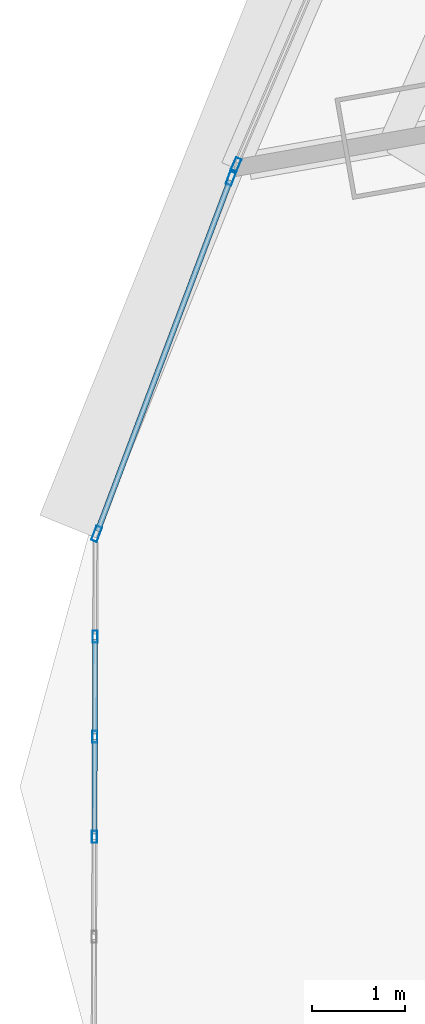
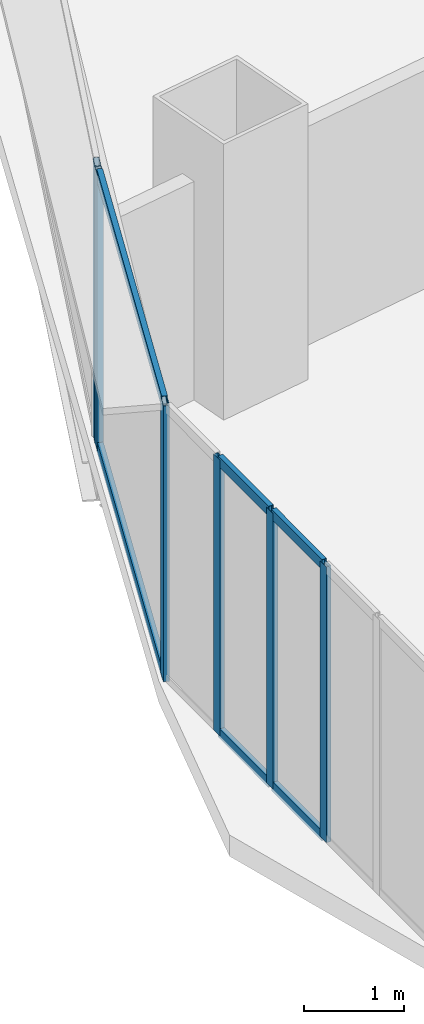
# One storey, part 4 of 42: 12 members, 3 elements without a shape of their own.
"""IFC4 building model written with IfcOpenShell, lengths in metres."""

from ifc_helpers import new_model, si_unit, direction, frame, origin, origin_2d, place, context, subcontext, project, spatial, hollow_rectangle, extrude, source, transform, mapped, material, layer, layer_set, material_profile, profile_set, type_object, element, aggregate, save


model = new_model("IFC4")

# Units and contexts
model_context = context("Model", 3, precision=1e-05, world=origin(), true_north=direction((0.0, 1.0)))
body_context = subcontext(model_context, "Body", "Model", "MODEL_VIEW")
ifc_project = project(units=[si_unit("LENGTHUNIT", "METRE"), si_unit("AREAUNIT", "SQUARE_METRE"), si_unit("VOLUMEUNIT", "CUBIC_METRE"), si_unit("PLANEANGLEUNIT", "RADIAN"), si_unit("MASSUNIT", "GRAM", prefix="KILO"), si_unit("THERMODYNAMICTEMPERATUREUNIT", "KELVIN"), si_unit("POWERUNIT", "WATT")], contexts=[model_context])

# Site, building, storey
site_placement = place(None, origin())
site = spatial("IfcSite", under=ifc_project, at=site_placement, CompositionType="ELEMENT")
building_placement = place(site_placement, origin())
building = spatial("IfcBuilding", under=site, at=building_placement, Name="Yunzhuo Pagoda Commons", CompositionType="ELEMENT")
storey_placement = place(building_placement, frame((0.0, 0.0, 41.2900390625)))
storey = spatial("IfcBuildingStorey", under=building, at=storey_placement, Name="L10", CompositionType="ELEMENT", Elevation=41.2900390625)

# Curtain wall, member
ifc_material = material(Name="Anodized aluminium 6063-T6", Category="aluminium")
ifc_layer_1 = layer(ifc_material, 0.1650390625)
ifc_layer_set_1 = layer_set([ifc_layer_1], Name="Anodized aluminium 6063-T6")
curtain_wall_type_1 = type_object("IfcCurtainWallType", Name="CW-LOW Low-Zone Ribbon Curtain Wall", PredefinedType="NOTDEFINED", material=ifc_layer_set_1)
curtain_wall_1_placement = place(storey_placement, origin())
curtain_wall_1 = element("IfcCurtainWall", 1, at=curtain_wall_1_placement, inside=storey, type_object=curtain_wall_type_1, Name="L10 curtain wall CW-L10-F3B4", PredefinedType="NOTDEFINED")
ifc_material_profile_1 = material_profile(ifc_material, hollow_rectangle(XDim=0.06494140625, YDim=0.1650390625, WallThickness=0.00390625, at=origin_2d()), Name="Anodized aluminium 6063-T6")
ifc_profile_set_1 = profile_set([ifc_material_profile_1], Name="Anodized aluminium 6063-T6")
member_type_1 = type_object("IfcMemberType", Name="CW-LOW-M Mullion RHS 165x65x4", PredefinedType="MULLION", material=ifc_profile_set_1)
shared_shape_1 = source(origin(), body_context, "Body", "SweptSolid", [
    extrude(hollow_rectangle(XDim=0.06494140625, YDim=0.1650390625, WallThickness=0.00390625, at=origin_2d()), origin(), (0.0, 0.0, 1.0), 3.369873046875),
])
member_1_placement = place(storey_placement, frame((6.25341796875, 26.366455078125, 0.0), z_axis=(0.0, 0.0, 1.0), x_axis=(0.918865619656, -0.394570618538, 0.0)))
member_1 = element("IfcMember", 2, at=member_1_placement, type_object=member_type_1, Name="CW mullion 2", PredefinedType="MULLION", context=body_context, shape_type="MappedRepresentation", body=[
    mapped(shared_shape_1, transform((0.0, 0.0, 0.0), scale=1.0)),
])
aggregate(curtain_wall_1, [member_1])

# Curtain wall, members
curtain_wall_2_placement = place(storey_placement, origin())
curtain_wall_2 = element("IfcCurtainWall", 3, at=curtain_wall_2_placement, inside=storey, type_object=curtain_wall_type_1, Name="L10 curtain wall CW-L10-F3B5", PredefinedType="NOTDEFINED")
member_2_placement = place(storey_placement, frame((6.20263671875, 26.236083984375, 0.0), z_axis=(0.0, 0.0, 1.0), x_axis=(0.935566420146, -0.353150780113, 0.0)))
member_2 = element("IfcMember", 4, at=member_2_placement, type_object=member_type_1, Name="CW mullion 1", PredefinedType="MULLION", context=body_context, shape_type="MappedRepresentation", body=[
    mapped(shared_shape_1, transform((0.0, 0.0, 0.0), scale=1.0)),
])
member_3_placement = place(storey_placement, frame((4.760009765625, 22.41455078125, 0.0), z_axis=(0.0, 0.0, 1.0), x_axis=(0.935566420146, -0.353150780113, 0.0)))
member_3 = element("IfcMember", 5, at=member_3_placement, type_object=member_type_1, Name="CW mullion 2", PredefinedType="MULLION", context=body_context, shape_type="MappedRepresentation", body=[
    mapped(shared_shape_1, transform((0.0, 0.0, 0.0), scale=1.0)),
])
ifc_material_profile_2 = material_profile(ifc_material, hollow_rectangle(XDim=0.06005859375, YDim=0.139892578125, WallThickness=0.00341796875, at=origin_2d()), Name="Anodized aluminium 6063-T6")
ifc_profile_set_2 = profile_set([ifc_material_profile_2], Name="Anodized aluminium 6063-T6")
member_type_2 = type_object("IfcMemberType", Name="CW-LOW-T Transom RHS 140x60x3.5", PredefinedType="USERDEFINED", material=ifc_profile_set_2)
shared_shape_2 = source(origin(), body_context, "Body", "SweptSolid", [
    extrude(hollow_rectangle(XDim=0.06005859375, YDim=0.139892578125, WallThickness=0.00341796875, at=origin_2d()), origin(), (0.0, 0.0, 1.0), 4.019775390625),
])
member_4_placement = place(storey_placement, frame((6.191162109375, 26.20556640625, 0.030029296875), z_axis=(-0.353172606042, -0.935558181163, 0.0), x_axis=(0.935558181163, -0.353172606042, 0.0)))
member_4 = element("IfcMember", 6, at=member_4_placement, type_object=member_type_2, Name="CW transom 1.1", ObjectType="TRANSOM", PredefinedType="USERDEFINED", context=body_context, shape_type="MappedRepresentation", body=[
    mapped(shared_shape_2, transform((0.0, 0.0, 0.0), scale=1.0)),
])
member_5_placement = place(storey_placement, frame((6.191162109375, 26.20556640625, 3.33984375), z_axis=(-0.353172606042, -0.935558181163, 0.0), x_axis=(0.935558181163, -0.353172606042, 0.0)))
member_5 = element("IfcMember", 7, at=member_5_placement, type_object=member_type_2, Name="CW transom 1.2", ObjectType="TRANSOM", PredefinedType="USERDEFINED", context=body_context, shape_type="MappedRepresentation", body=[
    mapped(shared_shape_2, transform((0.0, 0.0, 0.0), scale=1.0)),
])
aggregate(curtain_wall_2, [member_2, member_3, member_4, member_5])

ifc_layer_2 = layer(ifc_material, 0.1298828125)
ifc_layer_set_2 = layer_set([ifc_layer_2], Name="Anodized aluminium 6063-T6")
curtain_wall_type_2 = type_object("IfcCurtainWallType", Name="CW-VTX Rounded Corner Curtain Wall", PredefinedType="NOTDEFINED", material=ifc_layer_set_2)
curtain_wall_3_placement = place(storey_placement, origin())
curtain_wall_3 = element("IfcCurtainWall", 8, at=curtain_wall_3_placement, inside=storey, type_object=curtain_wall_type_2, Name="L10 curtain wall CW-L10-VTX1S1", PredefinedType="NOTDEFINED")
ifc_material_profile_3 = material_profile(ifc_material, hollow_rectangle(XDim=0.054931640625, YDim=0.1298828125, WallThickness=0.00341796875, at=origin_2d()), Name="Anodized aluminium 6063-T6")
ifc_profile_set_3 = profile_set([ifc_material_profile_3], Name="Anodized aluminium 6063-T6")
member_type_3 = type_object("IfcMemberType", Name="CW-VTX-M Mullion RHS 130x55x3.5", PredefinedType="MULLION", material=ifc_profile_set_3)
shared_shape_3 = source(origin(), body_context, "Body", "SweptSolid", [
    extrude(hollow_rectangle(XDim=0.054931640625, YDim=0.1298828125, WallThickness=0.00341796875, at=origin_2d()), origin(), (0.0, 0.0, 1.0), 3.369873046875),
])
member_6_placement = place(storey_placement, frame((4.74462890625, 21.311279296875, 0.0), z_axis=(0.0, 0.0, 1.0), x_axis=(0.999993595138, -0.003579061808, 0.0)))
member_6 = element("IfcMember", 9, at=member_6_placement, type_object=member_type_3, Name="CW mullion 2", PredefinedType="MULLION", context=body_context, shape_type="MappedRepresentation", body=[
    mapped(shared_shape_3, transform((0.0, 0.0, 0.0), scale=1.0)),
])
member_7_placement = place(storey_placement, frame((4.74072265625, 20.23828125, 0.0), z_axis=(0.0, 0.0, 1.0), x_axis=(0.999993595138, -0.003579061808, 0.0)))
member_7 = element("IfcMember", 10, at=member_7_placement, type_object=member_type_3, Name="CW mullion 3", PredefinedType="MULLION", context=body_context, shape_type="MappedRepresentation", body=[
    mapped(shared_shape_3, transform((0.0, 0.0, 0.0), scale=1.0)),
])
member_8_placement = place(storey_placement, frame((4.7373046875, 19.165283203125, 0.0), z_axis=(0.0, 0.0, 1.0), x_axis=(0.999993595138, -0.003579061808, 0.0)))
member_8 = element("IfcMember", 11, at=member_8_placement, type_object=member_type_3, Name="CW mullion 4", PredefinedType="MULLION", context=body_context, shape_type="MappedRepresentation", body=[
    mapped(shared_shape_3, transform((0.0, 0.0, 0.0), scale=1.0)),
])
ifc_material_profile_4 = material_profile(ifc_material, hollow_rectangle(XDim=0.054931640625, YDim=0.1201171875, WallThickness=0.00341796875, at=origin_2d()), Name="Anodized aluminium 6063-T6")
ifc_profile_set_4 = profile_set([ifc_material_profile_4], Name="Anodized aluminium 6063-T6")
member_type_4 = type_object("IfcMemberType", Name="CW-VTX-T Transom RHS 120x55x3.5", PredefinedType="USERDEFINED", material=ifc_profile_set_4)
shared_shape_4 = source(origin(), body_context, "Body", "SweptSolid", [
    extrude(hollow_rectangle(XDim=0.054931640625, YDim=0.1201171875, WallThickness=0.00341796875, at=origin_2d()), origin(), (0.0, 0.0, 1.0), 1.017822265625),
])
member_9_placement = place(storey_placement, frame((4.74462890625, 21.28369140625, 0.02734375), z_axis=(-0.00359796184, -0.999993527314, 0.0), x_axis=(0.999993527314, -0.00359796184, 0.0)))
member_9 = element("IfcMember", 12, at=member_9_placement, type_object=member_type_4, Name="CW transom 2.1", ObjectType="TRANSOM", PredefinedType="USERDEFINED", context=body_context, shape_type="MappedRepresentation", body=[
    mapped(shared_shape_4, transform((0.0, 0.0, 0.0), scale=1.0)),
])
member_10_placement = place(storey_placement, frame((4.74462890625, 21.28369140625, 3.342529296875), z_axis=(-0.00359796184, -0.999993527314, 0.0), x_axis=(0.999993527314, -0.00359796184, 0.0)))
member_10 = element("IfcMember", 13, at=member_10_placement, type_object=member_type_4, Name="CW transom 2.2", ObjectType="TRANSOM", PredefinedType="USERDEFINED", context=body_context, shape_type="MappedRepresentation", body=[
    mapped(shared_shape_4, transform((0.0, 0.0, 0.0), scale=1.0)),
])
member_11_placement = place(storey_placement, frame((4.74072265625, 20.210693359375, 0.02734375), z_axis=(-0.003358100519, -0.999994361565, 0.0), x_axis=(0.999994361565, -0.003358100519, 0.0)))
member_11 = element("IfcMember", 14, at=member_11_placement, type_object=member_type_4, Name="CW transom 3.1", ObjectType="TRANSOM", PredefinedType="USERDEFINED", context=body_context, shape_type="MappedRepresentation", body=[
    mapped(shared_shape_4, transform((0.0, 0.0, 0.0), scale=1.0)),
])
member_12_placement = place(storey_placement, frame((4.74072265625, 20.210693359375, 3.342529296875), z_axis=(-0.003358100519, -0.999994361565, 0.0), x_axis=(0.999994361565, -0.003358100519, 0.0)))
member_12 = element("IfcMember", 15, at=member_12_placement, type_object=member_type_4, Name="CW transom 3.2", ObjectType="TRANSOM", PredefinedType="USERDEFINED", context=body_context, shape_type="MappedRepresentation", body=[
    mapped(shared_shape_4, transform((0.0, 0.0, 0.0), scale=1.0)),
])
aggregate(curtain_wall_3, [member_6, member_7, member_8, member_9, member_10, member_11, member_12])

save(model, "model.ifc")
